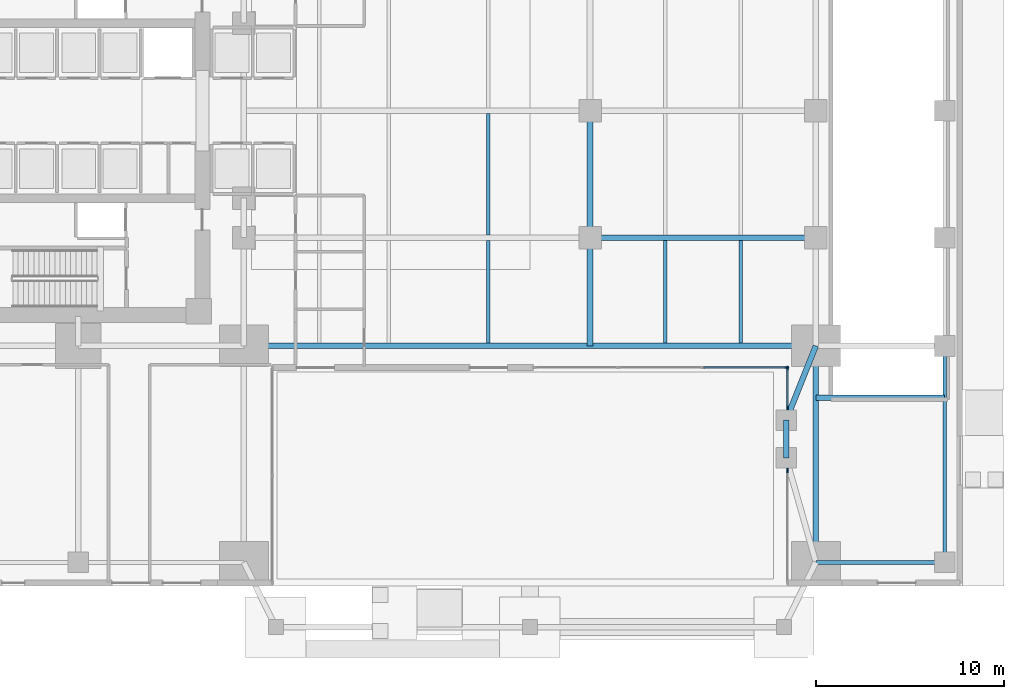
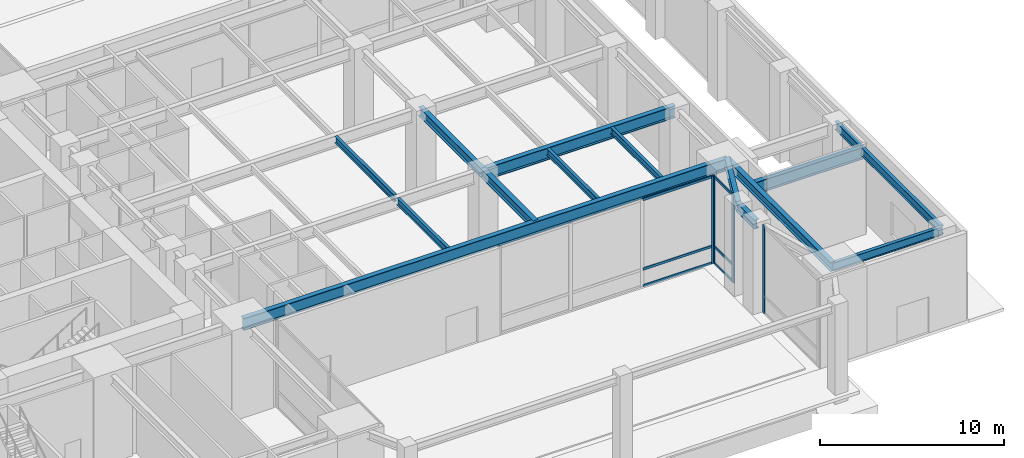
# One storey, part 4 of 17: 14 beams, 10 members, 3 elements without a shape of their own.
"""IFC4 building model written with IfcOpenShell, lengths in metres."""

from ifc_helpers import new_model, si_unit, direction, frame, origin, origin_2d, place, context, subcontext, project, spatial, rectangle, i_section, extrude, material, layer, layer_set, material_profile, profile_set, type_object, element, aggregate, save


model = new_model("IFC4")

# Units and contexts
model_context = context("Model", 3, precision=1e-05, world=origin(), true_north=direction((0.0, 1.0)))
body_context = subcontext(model_context, "Body", "Model", "MODEL_VIEW")
ifc_project = project(units=[si_unit("LENGTHUNIT", "METRE"), si_unit("AREAUNIT", "SQUARE_METRE"), si_unit("VOLUMEUNIT", "CUBIC_METRE"), si_unit("PLANEANGLEUNIT", "RADIAN"), si_unit("MASSUNIT", "GRAM", prefix="KILO")], contexts=[model_context])

# Site, building, storey
site_placement = place(None, origin())
site = spatial("IfcSite", under=ifc_project, at=site_placement, CompositionType="ELEMENT")
building_placement = place(site_placement, origin())
building = spatial("IfcBuilding", under=site, at=building_placement, Name="Kinhvarn Gate Tower", CompositionType="ELEMENT")
storey_placement = place(building_placement, origin())
storey = spatial("IfcBuildingStorey", under=building, at=storey_placement, Name="L00", CompositionType="ELEMENT", Elevation=0.0)

# Curtain wall, member
ifc_material_1 = material(Name="Anodised aluminium AW-6063", Category="aluminium")
ifc_layer = layer(ifc_material_1, 0.219970703125)
ifc_layer_set = layer_set([ifc_layer], Name="Anodised aluminium AW-6063")
curtain_wall_type = type_object("IfcCurtainWallType", Name="CW-SYS-1", PredefinedType="NOTDEFINED", material=ifc_layer_set)
curtain_wall_1_placement = place(storey_placement, origin())
curtain_wall_1 = element("IfcCurtainWall", 1, at=curtain_wall_1_placement, inside=storey, type_object=curtain_wall_type, Name="Curtain Wall CW1 (L00)", PredefinedType="NOTDEFINED")
ifc_material_profile_1 = material_profile(ifc_material_1, rectangle(XDim=0.080078125, YDim=0.219970703125, at=origin_2d()), Name="ALU 80x220")
ifc_profile_set_1 = profile_set([ifc_material_profile_1], Name="Anodised aluminium AW-6063")
member_type_1 = type_object("IfcMemberType", Name="CW-MUL-220", PredefinedType="MULLION", material=ifc_profile_set_1)
member_1_placement = place(storey_placement, frame((48.64990234375, 11.60009765625, 0.0), z_axis=(0.0, 0.0, 1.0), x_axis=(0.0, 1.0, 0.0)))
member_1 = element("IfcMember", 2, at=member_1_placement, type_object=member_type_1, Name="CW1 mullion 4", PredefinedType="MULLION", context=body_context, shape_type="SweptSolid", body=[
    extrude(rectangle(XDim=0.080078125, YDim=0.219970703125, at=origin_2d()), origin(), (0.0, 0.0, 1.0), 5.800048828125),
])

# Curtain wall, members
curtain_wall_2_placement = place(storey_placement, origin())
curtain_wall_2 = element("IfcCurtainWall", 3, at=curtain_wall_2_placement, inside=storey, type_object=curtain_wall_type, Name="Curtain Wall CW1 (L00)", PredefinedType="NOTDEFINED")
member_2_placement = place(storey_placement, frame((48.68994140625, 11.56005859375, 0.0), z_axis=(0.0, 0.0, 1.0), x_axis=(1.0, 0.0, 0.0)))
member_2 = element("IfcMember", 4, at=member_2_placement, type_object=member_type_1, Name="CW1 mullion 1", PredefinedType="MULLION", context=body_context, shape_type="SweptSolid", body=[
    extrude(rectangle(XDim=0.080078125, YDim=0.219970703125, at=origin_2d()), origin(), (0.0, 0.0, 1.0), 5.800048828125),
])
member_3_placement = place(storey_placement, frame((48.68994140625, 9.469970703125, 0.0), z_axis=(0.0, 0.0, 1.0), x_axis=(1.0, 0.0, 0.0)))
member_3 = element("IfcMember", 5, at=member_3_placement, type_object=member_type_1, Name="CW1 mullion 2", PredefinedType="MULLION", context=body_context, shape_type="SweptSolid", body=[
    extrude(rectangle(XDim=0.080078125, YDim=0.219970703125, at=origin_2d()), origin(), (0.0, 0.0, 1.0), 5.800048828125),
])

# Curtain wall, member
curtain_wall_3_placement = place(storey_placement, origin())
curtain_wall_3 = element("IfcCurtainWall", 6, at=curtain_wall_3_placement, inside=storey, type_object=curtain_wall_type, Name="Curtain Wall CW1 (L00)", PredefinedType="NOTDEFINED")
member_4_placement = place(storey_placement, frame((48.68994140625, 6.1298828125, 0.0), z_axis=(0.0, 0.0, 1.0), x_axis=(1.0, 0.0, 0.0)))
member_4 = element("IfcMember", 7, at=member_4_placement, type_object=member_type_1, Name="CW1 mullion 1", PredefinedType="MULLION", context=body_context, shape_type="SweptSolid", body=[
    extrude(rectangle(XDim=0.080078125, YDim=0.219970703125, at=origin_2d()), origin(), (0.0, 0.0, 1.0), 5.800048828125),
])
aggregate(curtain_wall_3, [member_4])

# Member
ifc_material_profile_2 = material_profile(ifc_material_1, rectangle(XDim=0.080078125, YDim=0.159912109375, at=origin_2d()), Name="ALU 80x160")
ifc_profile_set_2 = profile_set([ifc_material_profile_2], Name="Anodised aluminium AW-6063")
member_type_2 = type_object("IfcMemberType", Name="CW-TRN-160", PredefinedType="USERDEFINED", material=ifc_profile_set_2)
member_5_placement = place(storey_placement, frame((44.2333984375, 11.60009765625, 0.0400390625), z_axis=(1.0, 0.0, 0.0), x_axis=(0.0, 1.0, 0.0)))
member_5 = element("IfcMember", 8, at=member_5_placement, type_object=member_type_2, Name="CW1 transom 3.1", ObjectType="TRANSOM", PredefinedType="USERDEFINED", context=body_context, shape_type="SweptSolid", body=[
    extrude(rectangle(XDim=0.080078125, YDim=0.159912109375, at=origin_2d()), origin(), (0.0, 0.0, 1.0), 4.376708984375),
])

member_6_placement = place(storey_placement, frame((44.2333984375, 11.60009765625, 1.14990234375), z_axis=(1.0, 0.0, 0.0), x_axis=(0.0, 1.0, 0.0)))
member_6 = element("IfcMember", 9, at=member_6_placement, type_object=member_type_2, Name="CW1 transom 3.2", ObjectType="TRANSOM", PredefinedType="USERDEFINED", context=body_context, shape_type="SweptSolid", body=[
    extrude(rectangle(XDim=0.080078125, YDim=0.159912109375, at=origin_2d()), origin(), (0.0, 0.0, 1.0), 4.376708984375),
])

member_7_placement = place(storey_placement, frame((44.2333984375, 11.60009765625, 5.760009765625), z_axis=(1.0, 0.0, 0.0), x_axis=(0.0, 1.0, 0.0)))
member_7 = element("IfcMember", 10, at=member_7_placement, type_object=member_type_2, Name="CW1 transom 3.3", ObjectType="TRANSOM", PredefinedType="USERDEFINED", context=body_context, shape_type="SweptSolid", body=[
    extrude(rectangle(XDim=0.080078125, YDim=0.159912109375, at=origin_2d()), origin(), (0.0, 0.0, 1.0), 4.376708984375),
])

aggregate(curtain_wall_1, [member_1, member_5, member_6, member_7])

member_8_placement = place(storey_placement, frame((48.68994140625, 11.52001953125, 0.0400390625), z_axis=(0.0, -1.0, 0.0), x_axis=(1.0, 0.0, 0.0)))
member_8 = element("IfcMember", 11, at=member_8_placement, type_object=member_type_2, Name="CW1 transom 1.1", ObjectType="TRANSOM", PredefinedType="USERDEFINED", context=body_context, shape_type="SweptSolid", body=[
    extrude(rectangle(XDim=0.080078125, YDim=0.159912109375, at=origin_2d()), origin(), (0.0, 0.0, 1.0), 2.010009765625),
])

member_9_placement = place(storey_placement, frame((48.68994140625, 11.52001953125, 1.14990234375), z_axis=(0.0, -1.0, 0.0), x_axis=(1.0, 0.0, 0.0)))
member_9 = element("IfcMember", 12, at=member_9_placement, type_object=member_type_2, Name="CW1 transom 1.2", ObjectType="TRANSOM", PredefinedType="USERDEFINED", context=body_context, shape_type="SweptSolid", body=[
    extrude(rectangle(XDim=0.080078125, YDim=0.159912109375, at=origin_2d()), origin(), (0.0, 0.0, 1.0), 2.010009765625),
])

member_10_placement = place(storey_placement, frame((48.68994140625, 11.52001953125, 5.760009765625), z_axis=(0.0, -1.0, 0.0), x_axis=(1.0, 0.0, 0.0)))
member_10 = element("IfcMember", 13, at=member_10_placement, type_object=member_type_2, Name="CW1 transom 1.3", ObjectType="TRANSOM", PredefinedType="USERDEFINED", context=body_context, shape_type="SweptSolid", body=[
    extrude(rectangle(XDim=0.080078125, YDim=0.159912109375, at=origin_2d()), origin(), (0.0, 0.0, 1.0), 2.010009765625),
])

aggregate(curtain_wall_2, [member_2, member_3, member_8, member_9, member_10])

# Beams
ifc_material_2 = material(Name="Steel S355", Category="steel")
ifc_material_profile_3 = material_profile(ifc_material_2, i_section(OverallWidth=0.300048828125, OverallDepth=0.60009765625, WebThickness=0.015380859375, FlangeThickness=0.030029296875, at=origin_2d()), Name="HEB 600")
ifc_profile_set_3 = profile_set([ifc_material_profile_3], Name="Steel S355")
beam_type_1 = type_object("IfcBeamType", Name="STL-HEB600", PredefinedType="BEAM", material=ifc_profile_set_3)
beam_1_placement = place(storey_placement, frame((48.6201171875, 6.800048828125, 5.5), z_axis=(0.0, 1.0, 0.0), x_axis=(-1.0, 0.0, 0.0)))
element("IfcBeam", 14, at=beam_1_placement, inside=storey, type_object=beam_type_1, Name="Floor Beam PG-16 (L00 TIE-SE1-M)", PredefinedType="BEAM", context=body_context, shape_type="SweptSolid", body=[
    extrude(i_section(OverallWidth=0.300048828125, OverallDepth=0.60009765625, WebThickness=0.015380859375, FlangeThickness=0.030029296875, at=origin_2d()), origin(), (0.0, 0.0, 1.0), 2.0),
])
beam_2_placement = place(storey_placement, frame((48.6201171875, 8.800048828125, 5.5), z_axis=(0.371360992457, 0.928488563894, 0.0), x_axis=(-0.928488563894, 0.371360992457, 0.0)))
element("IfcBeam", 15, at=beam_2_placement, inside=storey, type_object=beam_type_1, Name="Floor Beam PG-16 (L00 TIE-SE1-N)", PredefinedType="BEAM", context=body_context, shape_type="SweptSolid", body=[
    extrude(i_section(OverallWidth=0.300048828125, OverallDepth=0.60009765625, WebThickness=0.015380859375, FlangeThickness=0.030029296875, at=origin_2d()), origin(), (0.0, 0.0, 1.0), 4.254150390625),
])
beam_3_placement = place(storey_placement, frame((50.199951171875, 1.25, 5.5), z_axis=(0.0, 1.0, 0.0), x_axis=(-1.0, 0.0, 0.0)))
element("IfcBeam", 16, at=beam_3_placement, inside=storey, type_object=beam_type_1, Name="Floor Beam PG-16 (L00 APE-1)", PredefinedType="BEAM", context=body_context, shape_type="SweptSolid", body=[
    extrude(i_section(OverallWidth=0.300048828125, OverallDepth=0.60009765625, WebThickness=0.015380859375, FlangeThickness=0.030029296875, at=origin_2d()), origin(), (0.0, 0.0, 1.0), 11.5),
])
beam_4_placement = place(storey_placement, frame((38.199951171875, 12.75, 5.5), z_axis=(0.0, 1.0, 0.0), x_axis=(-1.0, 0.0, 0.0)))
element("IfcBeam", 17, at=beam_4_placement, inside=storey, type_object=beam_type_1, Name="Floor Beam PG-16 (L00 POD-NS38-12)", PredefinedType="BEAM", context=body_context, shape_type="SweptSolid", body=[
    extrude(i_section(OverallWidth=0.300048828125, OverallDepth=0.60009765625, WebThickness=0.015380859375, FlangeThickness=0.030029296875, at=origin_2d()), origin(), (0.0, 0.0, 1.0), 5.75),
])
beam_5_placement = place(storey_placement, frame((38.199951171875, 18.5, 5.5), z_axis=(0.0, 1.0, 0.0), x_axis=(-1.0, 0.0, 0.0)))
element("IfcBeam", 18, at=beam_5_placement, inside=storey, type_object=beam_type_1, Name="Floor Beam PG-16 (L00 POD-NS38-18)", PredefinedType="BEAM", context=body_context, shape_type="SweptSolid", body=[
    extrude(i_section(OverallWidth=0.300048828125, OverallDepth=0.60009765625, WebThickness=0.015380859375, FlangeThickness=0.030029296875, at=origin_2d()), origin(), (0.0, 0.0, 1.0), 6.75),
])
ifc_material_profile_4 = material_profile(ifc_material_2, i_section(OverallWidth=0.300048828125, OverallDepth=0.800048828125, WebThickness=0.017578125, FlangeThickness=0.032958984375, at=origin_2d()), Name="HEB 800")
ifc_profile_set_4 = profile_set([ifc_material_profile_4], Name="Steel S355")
beam_type_2 = type_object("IfcBeamType", Name="STL-HEB800", PredefinedType="BEAM", material=ifc_profile_set_4)
beam_6_placement = place(storey_placement, frame((50.199951171875, 10.0, 5.39990234375), z_axis=(1.0, 0.0, 0.0), x_axis=(0.0, 1.0, 0.0)))
element("IfcBeam", 19, at=beam_6_placement, inside=storey, type_object=beam_type_2, Name="Floor Beam PG-19 (L00 RMP-TRM-1)", PredefinedType="BEAM", context=body_context, shape_type="SweptSolid", body=[
    extrude(i_section(OverallWidth=0.300048828125, OverallDepth=0.800048828125, WebThickness=0.017578125, FlangeThickness=0.032958984375, at=origin_2d()), origin(), (0.0, 0.0, 1.0), 6.85009765625),
])
beam_7_placement = place(storey_placement, frame((19.800048828125, 12.75, 5.39990234375), z_axis=(1.0, 0.0, 0.0), x_axis=(0.0, 1.0, 0.0)))
element("IfcBeam", 20, at=beam_7_placement, inside=storey, type_object=beam_type_2, Name="Floor Beam PG-19 (L00 POD-S-MAIN)", PredefinedType="BEAM", context=body_context, shape_type="SweptSolid", body=[
    extrude(i_section(OverallWidth=0.300048828125, OverallDepth=0.800048828125, WebThickness=0.017578125, FlangeThickness=0.032958984375, at=origin_2d()), origin(), (0.0, 0.0, 1.0), 30.39990234375),
])
beam_8_placement = place(storey_placement, frame((38.199951171875, 18.5, 5.39990234375), z_axis=(1.0, 0.0, 0.0), x_axis=(0.0, 1.0, 0.0)))
element("IfcBeam", 21, at=beam_8_placement, inside=storey, type_object=beam_type_2, Name="Floor Beam PG-19 (L00 POD-EW2-18)", PredefinedType="BEAM", context=body_context, shape_type="SweptSolid", body=[
    extrude(i_section(OverallWidth=0.300048828125, OverallDepth=0.800048828125, WebThickness=0.017578125, FlangeThickness=0.032958984375, at=origin_2d()), origin(), (0.0, 0.0, 1.0), 12.0),
])
ifc_material_profile_5 = material_profile(ifc_material_2, i_section(OverallWidth=0.18994140625, OverallDepth=0.449951171875, WebThickness=0.009521484375, FlangeThickness=0.0146484375, at=origin_2d()), Name="IPE 450")
ifc_profile_set_5 = profile_set([ifc_material_profile_5], Name="Steel S355")
beam_type_3 = type_object("IfcBeamType", Name="STL-IPE450", PredefinedType="JOIST", material=ifc_profile_set_5)
for number, where, z_axis, x_axis, name in (
    (22, (32.800048828125, 12.89990234375, 5.574951171875), (0.0, 1.0, 0.0), (-1.0, 0.0, 0.0), "Floor Joist SB-06 (L00 POD-J328-12)"),
    (23, (42.199951171875, 12.89990234375, 5.574951171875), (0.0, 1.0, 0.0), (-1.0, 0.0, 0.0), "Floor Joist SB-06 (L00 POD-J422-12)"),
    (24, (46.199951171875, 12.89990234375, 5.574951171875), (0.0, 1.0, 0.0), (-1.0, 0.0, 0.0), "Floor Joist SB-06 (L00 POD-J462-12)"),
):
    element("IfcBeam", number, at=place(storey_placement, frame(where, z_axis=z_axis, x_axis=x_axis)), inside=storey, type_object=beam_type_3, Name=name, PredefinedType="JOIST", context=body_context, shape_type="SweptSolid", body=[
        extrude(i_section(OverallWidth=0.18994140625, OverallDepth=0.449951171875, WebThickness=0.009521484375, FlangeThickness=0.0146484375, at=origin_2d()), origin(), (0.0, 0.0, 1.0), 5.4501953125),
    ])
beam_9_placement = place(storey_placement, frame((32.800048828125, 18.64990234375, 5.574951171875), z_axis=(0.0, 1.0, 0.0), x_axis=(-1.0, 0.0, 0.0)))
element("IfcBeam", 25, at=beam_9_placement, inside=storey, type_object=beam_type_3, Name="Floor Joist SB-06 (L00 POD-J328-18)", PredefinedType="JOIST", context=body_context, shape_type="SweptSolid", body=[
    extrude(i_section(OverallWidth=0.18994140625, OverallDepth=0.449951171875, WebThickness=0.009521484375, FlangeThickness=0.0146484375, at=origin_2d()), origin(), (0.0, 0.0, 1.0), 6.4501953125),
])
ifc_material_profile_6 = material_profile(ifc_material_2, i_section(OverallWidth=0.2099609375, OverallDepth=0.550048828125, WebThickness=0.010986328125, FlangeThickness=0.01708984375, at=origin_2d()), Name="IPE 550")
ifc_profile_set_6 = profile_set([ifc_material_profile_6], Name="Steel S355")
beam_type_4 = type_object("IfcBeamType", Name="STL-IPE550", PredefinedType="SPANDREL", material=ifc_profile_set_6)
beam_10_placement = place(storey_placement, frame((57.050048828125, 1.25, 5.52490234375), z_axis=(0.0, 1.0, 0.0), x_axis=(-1.0, 0.0, 0.0)))
element("IfcBeam", 26, at=beam_10_placement, inside=storey, type_object=beam_type_4, Name="Floor Spandrel SB-08 (L00 PERE-1)", PredefinedType="SPANDREL", context=body_context, shape_type="SweptSolid", body=[
    extrude(i_section(OverallWidth=0.2099609375, OverallDepth=0.550048828125, WebThickness=0.010986328125, FlangeThickness=0.01708984375, at=origin_2d()), origin(), (0.0, 0.0, 1.0), 11.5),
])
beam_11_placement = place(storey_placement, frame((50.199951171875, 1.25, 5.52490234375), z_axis=(1.0, 0.0, 0.0), x_axis=(0.0, 1.0, 0.0)))
element("IfcBeam", 27, at=beam_11_placement, inside=storey, type_object=beam_type_4, Name="Floor Spandrel SB-08 (L00 SP-POD-SE)", PredefinedType="SPANDREL", context=body_context, shape_type="SweptSolid", body=[
    extrude(i_section(OverallWidth=0.2099609375, OverallDepth=0.550048828125, WebThickness=0.010986328125, FlangeThickness=0.01708984375, at=origin_2d()), origin(), (0.0, 0.0, 1.0), 6.85009765625),
])

save(model, "model.ifc")
